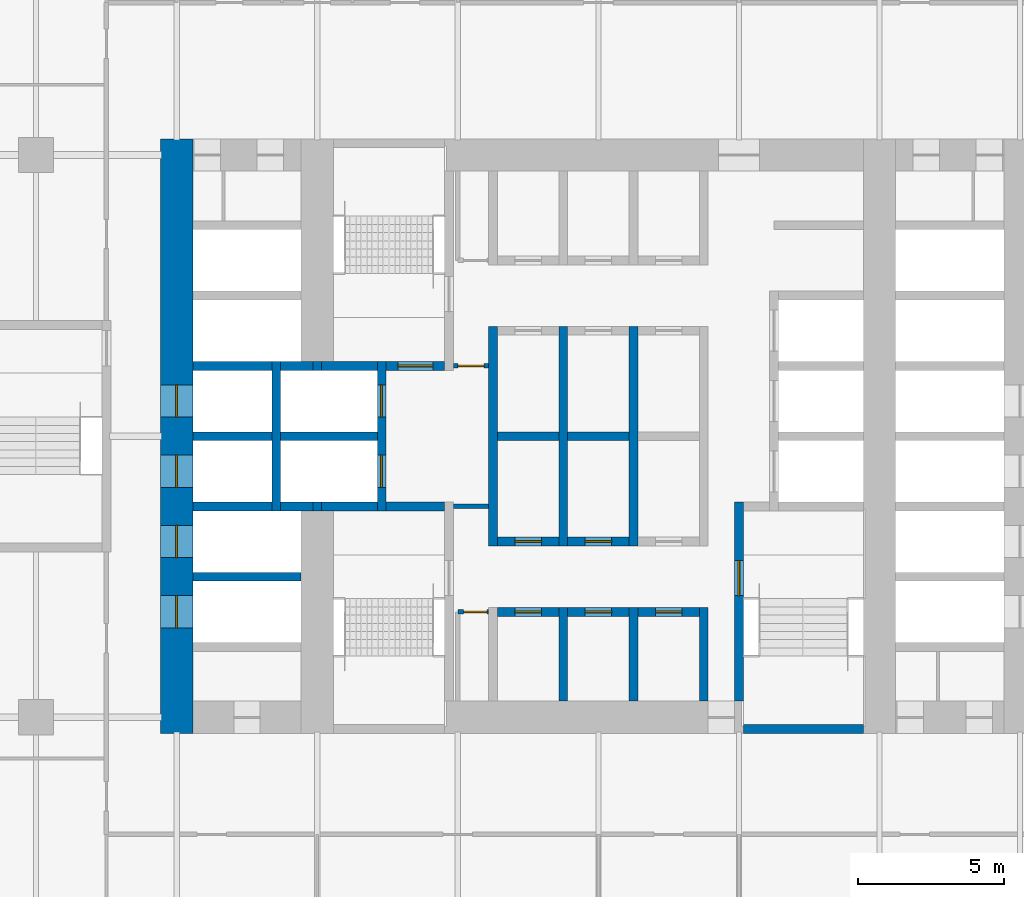
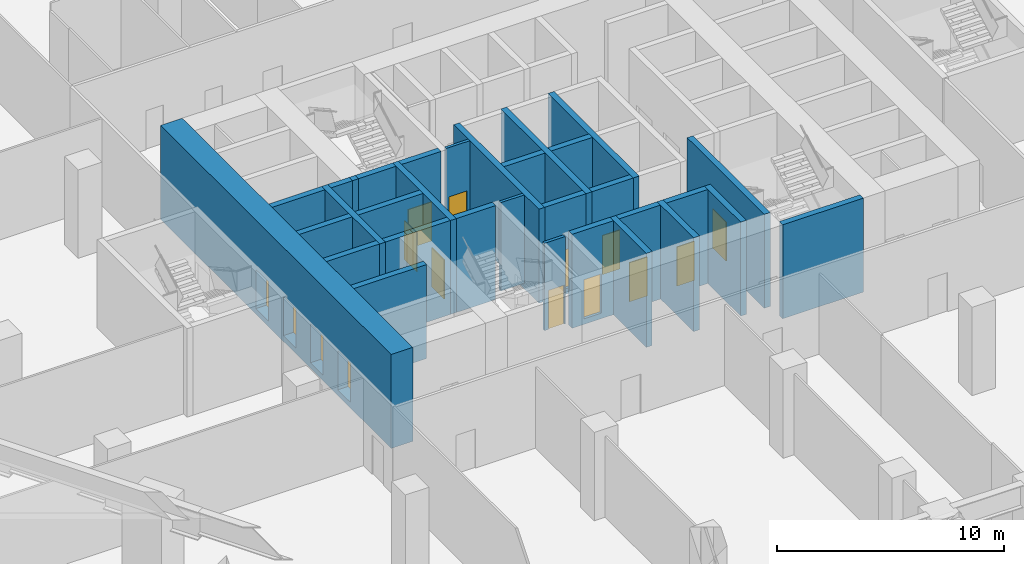
# One storey, part 20 of 34: 34 walls, 15 doors, 15 openings.
"""IFC4 building model written with IfcOpenShell, lengths in metres."""

from ifc_helpers import new_model, si_unit, direction, frame, frame_2d, origin, place, context, subcontext, project, spatial, rectangle, extrude, material, layer, layer_set, type_object, element, fill, save


model = new_model("IFC4")

# Units and contexts
model_context = context("Model", 3, precision=1e-05, world=origin(), true_north=direction((0.0, 1.0)))
body_context = subcontext(model_context, "Body", "Model", "MODEL_VIEW")
ifc_project = project(units=[si_unit("LENGTHUNIT", "METRE"), si_unit("AREAUNIT", "SQUARE_METRE"), si_unit("VOLUMEUNIT", "CUBIC_METRE"), si_unit("PLANEANGLEUNIT", "RADIAN"), si_unit("MASSUNIT", "GRAM", prefix="KILO")], contexts=[model_context])

# Site, building, storey
site_placement = place(None, origin())
site = spatial("IfcSite", under=ifc_project, at=site_placement, CompositionType="ELEMENT")
building_placement = place(site_placement, origin())
building = spatial("IfcBuilding", under=site, at=building_placement, Name="Kolab Exchange Tower", CompositionType="ELEMENT")
storey_placement = place(building_placement, frame((0.0, 0.0, 12.39990234375)))
storey = spatial("IfcBuildingStorey", under=building, at=storey_placement, Name="L02", CompositionType="ELEMENT", Elevation=12.39990234375)

# Wall, openings, doors
ifc_material_1 = material(Name="Concrete C80/95", Category="concrete")
ifc_layer_1 = layer(ifc_material_1, 1.10009765625)
ifc_layer_set_1 = layer_set([ifc_layer_1], Name="Concrete C80/95")
wall_type_1 = type_object("IfcWallType", Name="CORE WALL 1100 C80/95", PredefinedType="SHEAR", material=ifc_layer_set_1)
wall_1_placement = place(storey_placement, frame((-14.39990234375, -10.14990234375, -0.2998046875), z_axis=(0.0, 0.0, 1.0), x_axis=(0.0, 1.0, 0.0)))
wall_1 = element("IfcWall", 1, at=wall_1_placement, inside=storey, type_object=wall_type_1, Name="wall/L02/core/057", PredefinedType="SHEAR", context=body_context, shape_type="SweptSolid", body=[
    extrude(rectangle(XDim=20.2998046875, YDim=1.10009765625, at=frame_2d((10.14990234375, 0.0))), origin(), (0.0, 0.0, 1.0), 5.0498046875),
])
opening_1_placement = place(wall_1_placement, frame((3.60009765625, 0.0, 0.300048828125)))
opening_1 = element("IfcOpeningElement", 2, at=opening_1_placement, cuts=wall_1, Name="Opening LD1-025", PredefinedType="OPENING", context=body_context, shape_type="SweptSolid", body=[
    extrude(rectangle(XDim=1.10009765625, YDim=2.10009765625, at=frame_2d((0.550048828125, 1.050048828125))), frame((0.0, 0.56005859375, 0.0), z_axis=(0.0, -1.0, 0.0), x_axis=(1.0, 0.0, 0.0)), (0.0, 0.0, 1.0), 1.1201171875),
])
opening_2_placement = place(wall_1_placement, frame((6.0, 0.0, 0.300048828125)))
opening_2 = element("IfcOpeningElement", 3, at=opening_2_placement, cuts=wall_1, Name="Opening LD1-026", PredefinedType="OPENING", context=body_context, shape_type="SweptSolid", body=[
    extrude(rectangle(XDim=1.10009765625, YDim=2.10009765625, at=frame_2d((0.550048828125, 1.050048828125))), frame((0.0, 0.56005859375, 0.0), z_axis=(0.0, -1.0, 0.0), x_axis=(1.0, 0.0, 0.0)), (0.0, 0.0, 1.0), 1.1201171875),
])
opening_3_placement = place(wall_1_placement, frame((8.39990234375, 0.0, 0.300048828125)))
opening_3 = element("IfcOpeningElement", 4, at=opening_3_placement, cuts=wall_1, Name="Opening LD1-027", PredefinedType="OPENING", context=body_context, shape_type="SweptSolid", body=[
    extrude(rectangle(XDim=1.10009765625, YDim=2.10009765625, at=frame_2d((0.550048828125, 1.050048828125))), frame((0.0, 0.56005859375, 0.0), z_axis=(0.0, -1.0, 0.0), x_axis=(1.0, 0.0, 0.0)), (0.0, 0.0, 1.0), 1.1201171875),
])
opening_4_placement = place(wall_1_placement, frame((10.800048828125, 0.0, 0.300048828125)))
opening_4 = element("IfcOpeningElement", 5, at=opening_4_placement, cuts=wall_1, Name="Opening LD1-028", PredefinedType="OPENING", context=body_context, shape_type="SweptSolid", body=[
    extrude(rectangle(XDim=1.10009765625, YDim=2.10009765625, at=frame_2d((0.550048828125, 1.050048828125))), frame((0.0, 0.56005859375, 0.0), z_axis=(0.0, -1.0, 0.0), x_axis=(1.0, 0.0, 0.0)), (0.0, 0.0, 1.0), 1.1201171875),
])
ifc_material_2 = material(Name="Stainless steel 316", Category="steel")
door_type_1 = type_object("IfcDoorType", Name="LANDING DOOR 1100 PASSENGER", OperationType="DOUBLE_DOOR_SLIDING", PredefinedType="DOOR", material=ifc_material_2)
door_1_placement = place(opening_1_placement, origin())
door_1 = element("IfcDoor", 6, at=door_1_placement, inside=storey, type_object=door_type_1, Name="Landing door LR5", OperationType="DOUBLE_DOOR_SLIDING", OverallHeight=2.10009765625, OverallWidth=1.10009765625, PredefinedType="DOOR", context=body_context, shape_type="SweptSolid", body=[
    extrude(rectangle(XDim=1.10009765625, YDim=2.10009765625, at=frame_2d((0.550048828125, 1.050048828125))), frame((0.0, 0.02490234375, 0.0), z_axis=(0.0, -1.0, 0.0), x_axis=(1.0, 0.0, 0.0)), (0.0, 0.0, 1.0), 0.050048828125),
])
fill(opening_1, door_1)
door_2_placement = place(opening_2_placement, origin())
door_2 = element("IfcDoor", 7, at=door_2_placement, inside=storey, type_object=door_type_1, Name="Landing door LR6", OperationType="DOUBLE_DOOR_SLIDING", OverallHeight=2.10009765625, OverallWidth=1.10009765625, PredefinedType="DOOR", context=body_context, shape_type="SweptSolid", body=[
    extrude(rectangle(XDim=1.10009765625, YDim=2.10009765625, at=frame_2d((0.550048828125, 1.050048828125))), frame((0.0, 0.02490234375, 0.0), z_axis=(0.0, -1.0, 0.0), x_axis=(1.0, 0.0, 0.0)), (0.0, 0.0, 1.0), 0.050048828125),
])
fill(opening_2, door_2)
door_3_placement = place(opening_3_placement, origin())
door_3 = element("IfcDoor", 8, at=door_3_placement, inside=storey, type_object=door_type_1, Name="Landing door LR7", OperationType="DOUBLE_DOOR_SLIDING", OverallHeight=2.10009765625, OverallWidth=1.10009765625, PredefinedType="DOOR", context=body_context, shape_type="SweptSolid", body=[
    extrude(rectangle(XDim=1.10009765625, YDim=2.10009765625, at=frame_2d((0.550048828125, 1.050048828125))), frame((0.0, 0.02490234375, 0.0), z_axis=(0.0, -1.0, 0.0), x_axis=(1.0, 0.0, 0.0)), (0.0, 0.0, 1.0), 0.050048828125),
])
fill(opening_3, door_3)
door_4_placement = place(opening_4_placement, origin())
door_4 = element("IfcDoor", 9, at=door_4_placement, inside=storey, type_object=door_type_1, Name="Landing door LR8", OperationType="DOUBLE_DOOR_SLIDING", OverallHeight=2.10009765625, OverallWidth=1.10009765625, PredefinedType="DOOR", context=body_context, shape_type="SweptSolid", body=[
    extrude(rectangle(XDim=1.10009765625, YDim=2.10009765625, at=frame_2d((0.550048828125, 1.050048828125))), frame((0.0, 0.02490234375, 0.0), z_axis=(0.0, -1.0, 0.0), x_axis=(1.0, 0.0, 0.0)), (0.0, 0.0, 1.0), 0.050048828125),
])
fill(opening_4, door_4)

# Wall, opening, door
ifc_material_3 = material(Name="Concrete C50/60", Category="concrete")
ifc_layer_2 = layer(ifc_material_3, 0.300048828125)
ifc_layer_set_2 = layer_set([ifc_layer_2], Name="Concrete C50/60")
wall_type_2 = type_object("IfcWallType", Name="LIFT SHAFT WALL 300 C50/60", PredefinedType="STANDARD", material=ifc_layer_set_2)
wall_2_placement = place(storey_placement, frame((-3.449951171875, -6.0, -0.2998046875), z_axis=(0.0, 0.0, 1.0), x_axis=(1.0, 0.0, 0.0)))
wall_2 = element("IfcWall", 10, at=wall_2_placement, inside=storey, type_object=wall_type_2, Name="wall/L02/core/007", PredefinedType="STANDARD", context=body_context, shape_type="SweptSolid", body=[
    extrude(rectangle(XDim=2.099853515625, YDim=0.300048828125, at=frame_2d((1.0498046875, 0.0))), origin(), (0.0, 0.0, 1.0), 5.0498046875),
])
opening_5_placement = place(wall_2_placement, frame((0.60009765625, 0.0, 0.300048828125)))
opening_5 = element("IfcOpeningElement", 11, at=opening_5_placement, cuts=wall_2, Name="Opening D6-054", PredefinedType="OPENING", context=body_context, shape_type="SweptSolid", body=[
    extrude(rectangle(XDim=0.89990234375, YDim=2.10009765625, at=frame_2d((0.449951171875, 1.050048828125))), frame((0.0, 0.16015625, 0.0), z_axis=(0.0, -1.0, 0.0), x_axis=(1.0, 0.0, 0.0)), (0.0, 0.0, 1.0), 0.320068359375),
])
ifc_material_4 = material(Name="Steel S235", Category="steel")
door_type_2 = type_object("IfcDoorType", Name="CORE DOOR 900 EI 120", OperationType="SINGLE_SWING_LEFT", PredefinedType="DOOR", material=ifc_material_4)
door_5_placement = place(opening_5_placement, frame((0.89990234375, 0.0, 0.0), z_axis=(0.0, 0.0, 1.0), x_axis=(-1.0, 0.0, 0.0)))
door_5 = element("IfcDoor", 12, at=door_5_placement, inside=storey, type_object=door_type_2, Name="Service room door", OperationType="SINGLE_SWING_LEFT", OverallHeight=2.10009765625, OverallWidth=0.89990234375, PredefinedType="DOOR", context=body_context, shape_type="SweptSolid", body=[
    extrude(rectangle(XDim=0.89990234375, YDim=2.10009765625, at=frame_2d((0.449951171875, 1.050048828125))), frame((0.0, 0.02490234375, 0.0), z_axis=(0.0, -1.0, 0.0), x_axis=(1.0, 0.0, 0.0)), (0.0, 0.0, 1.0), 0.050048828125),
])
fill(opening_5, door_5)

wall_3_placement = place(storey_placement, frame((-1.050048828125, -6.0, -0.2998046875), z_axis=(0.0, 0.0, 1.0), x_axis=(1.0, 0.0, 0.0)))
wall_3 = element("IfcWall", 13, at=wall_3_placement, inside=storey, type_object=wall_type_2, Name="wall/L02/core/008", PredefinedType="STANDARD", context=body_context, shape_type="SweptSolid", body=[
    extrude(rectangle(XDim=2.10009765625, YDim=0.300048828125, at=frame_2d((1.050048828125, 0.0))), origin(), (0.0, 0.0, 1.0), 5.0498046875),
])
opening_6_placement = place(wall_3_placement, frame((0.60009765625, 0.0, 0.300048828125)))
opening_6 = element("IfcOpeningElement", 14, at=opening_6_placement, cuts=wall_3, Name="Opening D6-053", PredefinedType="OPENING", context=body_context, shape_type="SweptSolid", body=[
    extrude(rectangle(XDim=0.89990234375, YDim=2.10009765625, at=frame_2d((0.449951171875, 1.050048828125))), frame((0.0, 0.16015625, 0.0), z_axis=(0.0, -1.0, 0.0), x_axis=(1.0, 0.0, 0.0)), (0.0, 0.0, 1.0), 0.320068359375),
])
door_6_placement = place(opening_6_placement, frame((0.89990234375, 0.0, 0.0), z_axis=(0.0, 0.0, 1.0), x_axis=(-1.0, 0.0, 0.0)))
door_6 = element("IfcDoor", 15, at=door_6_placement, inside=storey, type_object=door_type_2, Name="Service room door", OperationType="SINGLE_SWING_LEFT", OverallHeight=2.10009765625, OverallWidth=0.89990234375, PredefinedType="DOOR", context=body_context, shape_type="SweptSolid", body=[
    extrude(rectangle(XDim=0.89990234375, YDim=2.10009765625, at=frame_2d((0.449951171875, 1.050048828125))), frame((0.0, 0.02490234375, 0.0), z_axis=(0.0, -1.0, 0.0), x_axis=(1.0, 0.0, 0.0)), (0.0, 0.0, 1.0), 0.050048828125),
])
fill(opening_6, door_6)

wall_4_placement = place(storey_placement, frame((1.35009765625, -6.0, -0.2998046875), z_axis=(0.0, 0.0, 1.0), x_axis=(1.0, 0.0, 0.0)))
wall_4 = element("IfcWall", 16, at=wall_4_placement, inside=storey, type_object=wall_type_2, Name="wall/L02/core/009", PredefinedType="STANDARD", context=body_context, shape_type="SweptSolid", body=[
    extrude(rectangle(XDim=2.099853515625, YDim=0.300048828125, at=frame_2d((1.0498046875, 0.0))), origin(), (0.0, 0.0, 1.0), 5.0498046875),
])
opening_7_placement = place(wall_4_placement, frame((0.60009765625, 0.0, 0.300048828125)))
opening_7 = element("IfcOpeningElement", 17, at=opening_7_placement, cuts=wall_4, Name="Opening D6-052", PredefinedType="OPENING", context=body_context, shape_type="SweptSolid", body=[
    extrude(rectangle(XDim=0.89990234375, YDim=2.10009765625, at=frame_2d((0.449951171875, 1.050048828125))), frame((0.0, 0.16015625, 0.0), z_axis=(0.0, -1.0, 0.0), x_axis=(1.0, 0.0, 0.0)), (0.0, 0.0, 1.0), 0.320068359375),
])
door_7_placement = place(opening_7_placement, frame((0.89990234375, 0.0, 0.0), z_axis=(0.0, 0.0, 1.0), x_axis=(-1.0, 0.0, 0.0)))
door_7 = element("IfcDoor", 18, at=door_7_placement, inside=storey, type_object=door_type_2, Name="Service room door", OperationType="SINGLE_SWING_RIGHT", OverallHeight=2.10009765625, OverallWidth=0.89990234375, PredefinedType="DOOR", context=body_context, shape_type="SweptSolid", body=[
    extrude(rectangle(XDim=0.89990234375, YDim=2.10009765625, at=frame_2d((0.449951171875, 1.050048828125))), frame((0.0, 0.02490234375, 0.0), z_axis=(0.0, -1.0, 0.0), x_axis=(1.0, 0.0, 0.0)), (0.0, 0.0, 1.0), 0.050048828125),
])
fill(opening_7, door_7)

# Wall
wall_5_placement = place(storey_placement, frame((-13.85009765625, -4.800048828125, -0.2998046875), z_axis=(0.0, 0.0, 1.0), x_axis=(1.0, 0.0, 0.0)))
element("IfcWall", 19, at=wall_5_placement, inside=storey, type_object=wall_type_2, Name="wall/L02/core/010", PredefinedType="STANDARD", context=body_context, shape_type="SweptSolid", body=[
    extrude(rectangle(XDim=3.7001953125, YDim=0.300048828125, at=frame_2d((1.85009765625, 0.0))), origin(), (0.0, 0.0, 1.0), 5.0498046875),
])

# Wall, opening, door
wall_6_placement = place(storey_placement, frame((-3.449951171875, -3.60009765625, -0.2998046875), z_axis=(0.0, 0.0, 1.0), x_axis=(1.0, 0.0, 0.0)))
wall_6 = element("IfcWall", 20, at=wall_6_placement, inside=storey, type_object=wall_type_2, Name="wall/L02/core/014", PredefinedType="STANDARD", context=body_context, shape_type="SweptSolid", body=[
    extrude(rectangle(XDim=2.099853515625, YDim=0.300048828125, at=frame_2d((1.0498046875, 0.0))), origin(), (0.0, 0.0, 1.0), 5.0498046875),
])
opening_8_placement = place(wall_6_placement, frame((0.60009765625, 0.0, 0.300048828125)))
opening_8 = element("IfcOpeningElement", 21, at=opening_8_placement, cuts=wall_6, Name="Opening D6-051", PredefinedType="OPENING", context=body_context, shape_type="SweptSolid", body=[
    extrude(rectangle(XDim=0.89990234375, YDim=2.10009765625, at=frame_2d((0.449951171875, 1.050048828125))), frame((0.0, 0.16015625, 0.0), z_axis=(0.0, -1.0, 0.0), x_axis=(1.0, 0.0, 0.0)), (0.0, 0.0, 1.0), 0.320068359375),
])
door_8_placement = place(opening_8_placement, origin())
door_8 = element("IfcDoor", 22, at=door_8_placement, inside=storey, type_object=door_type_2, Name="Service room door", OperationType="SINGLE_SWING_LEFT", OverallHeight=2.10009765625, OverallWidth=0.89990234375, PredefinedType="DOOR", context=body_context, shape_type="SweptSolid", body=[
    extrude(rectangle(XDim=0.89990234375, YDim=2.10009765625, at=frame_2d((0.449951171875, 1.050048828125))), frame((0.0, 0.02490234375, 0.0), z_axis=(0.0, -1.0, 0.0), x_axis=(1.0, 0.0, 0.0)), (0.0, 0.0, 1.0), 0.050048828125),
])
fill(opening_8, door_8)

wall_7_placement = place(storey_placement, frame((-1.050048828125, -3.60009765625, -0.2998046875), z_axis=(0.0, 0.0, 1.0), x_axis=(1.0, 0.0, 0.0)))
wall_7 = element("IfcWall", 23, at=wall_7_placement, inside=storey, type_object=wall_type_2, Name="wall/L02/core/015", PredefinedType="STANDARD", context=body_context, shape_type="SweptSolid", body=[
    extrude(rectangle(XDim=2.10009765625, YDim=0.300048828125, at=frame_2d((1.050048828125, 0.0))), origin(), (0.0, 0.0, 1.0), 5.0498046875),
])
opening_9_placement = place(wall_7_placement, frame((0.60009765625, 0.0, 0.300048828125)))
opening_9 = element("IfcOpeningElement", 24, at=opening_9_placement, cuts=wall_7, Name="Opening D6-050", PredefinedType="OPENING", context=body_context, shape_type="SweptSolid", body=[
    extrude(rectangle(XDim=0.89990234375, YDim=2.10009765625, at=frame_2d((0.449951171875, 1.050048828125))), frame((0.0, 0.16015625, 0.0), z_axis=(0.0, -1.0, 0.0), x_axis=(1.0, 0.0, 0.0)), (0.0, 0.0, 1.0), 0.320068359375),
])
door_9_placement = place(opening_9_placement, origin())
door_9 = element("IfcDoor", 25, at=door_9_placement, inside=storey, type_object=door_type_2, Name="Service room door", OperationType="SINGLE_SWING_LEFT", OverallHeight=2.10009765625, OverallWidth=0.89990234375, PredefinedType="DOOR", context=body_context, shape_type="SweptSolid", body=[
    extrude(rectangle(XDim=0.89990234375, YDim=2.10009765625, at=frame_2d((0.449951171875, 1.050048828125))), frame((0.0, 0.02490234375, 0.0), z_axis=(0.0, -1.0, 0.0), x_axis=(1.0, 0.0, 0.0)), (0.0, 0.0, 1.0), 0.050048828125),
])
fill(opening_9, door_9)

# Walls
wall_8_placement = place(storey_placement, frame((-13.85009765625, -2.39990234375, -0.2998046875), z_axis=(0.0, 0.0, 1.0), x_axis=(1.0, 0.0, 0.0)))
element("IfcWall", 26, at=wall_8_placement, inside=storey, type_object=wall_type_2, Name="wall/L02/core/017", PredefinedType="STANDARD", context=body_context, shape_type="SweptSolid", body=[
    extrude(rectangle(XDim=2.7001953125, YDim=0.300048828125, at=frame_2d((1.35009765625, 0.0))), origin(), (0.0, 0.0, 1.0), 5.0498046875),
])
wall_9_placement = place(storey_placement, frame((-10.85009765625, -2.39990234375, -0.2998046875), z_axis=(0.0, 0.0, 1.0), x_axis=(1.0, 0.0, 0.0)))
element("IfcWall", 27, at=wall_9_placement, inside=storey, type_object=wall_type_2, Name="wall/L02/core/018", PredefinedType="STANDARD", context=body_context, shape_type="SweptSolid", body=[
    extrude(rectangle(XDim=1.10009765625, YDim=0.300048828125, at=frame_2d((0.550048828125, 0.0))), origin(), (0.0, 0.0, 1.0), 5.0498046875),
])
wall_10_placement = place(storey_placement, frame((-13.85009765625, 0.0, -0.2998046875), z_axis=(0.0, 0.0, 1.0), x_axis=(1.0, 0.0, 0.0)))
element("IfcWall", 28, at=wall_10_placement, inside=storey, type_object=wall_type_2, Name="wall/L02/core/024", PredefinedType="STANDARD", context=body_context, shape_type="SweptSolid", body=[
    extrude(rectangle(XDim=2.7001953125, YDim=0.300048828125, at=frame_2d((1.35009765625, 0.0))), origin(), (0.0, 0.0, 1.0), 5.0498046875),
])
wall_11_placement = place(storey_placement, frame((-10.85009765625, 0.0, -0.2998046875), z_axis=(0.0, 0.0, 1.0), x_axis=(1.0, 0.0, 0.0)))
element("IfcWall", 29, at=wall_11_placement, inside=storey, type_object=wall_type_2, Name="wall/L02/core/025", PredefinedType="STANDARD", context=body_context, shape_type="SweptSolid", body=[
    extrude(rectangle(XDim=3.300048828125, YDim=0.300048828125, at=frame_2d((1.64990234375, 0.0))), origin(), (0.0, 0.0, 1.0), 5.0498046875),
])
wall_12_placement = place(storey_placement, frame((-3.449951171875, 0.0, -0.2998046875), z_axis=(0.0, 0.0, 1.0), x_axis=(1.0, 0.0, 0.0)))
element("IfcWall", 30, at=wall_12_placement, inside=storey, type_object=wall_type_2, Name="wall/L02/core/026", PredefinedType="STANDARD", context=body_context, shape_type="SweptSolid", body=[
    extrude(rectangle(XDim=2.099853515625, YDim=0.300048828125, at=frame_2d((1.0498046875, 0.0))), origin(), (0.0, 0.0, 1.0), 5.0498046875),
])
wall_13_placement = place(storey_placement, frame((-1.050048828125, 0.0, -0.2998046875), z_axis=(0.0, 0.0, 1.0), x_axis=(1.0, 0.0, 0.0)))
element("IfcWall", 31, at=wall_13_placement, inside=storey, type_object=wall_type_2, Name="wall/L02/core/027", PredefinedType="STANDARD", context=body_context, shape_type="SweptSolid", body=[
    extrude(rectangle(XDim=2.10009765625, YDim=0.300048828125, at=frame_2d((1.050048828125, 0.0))), origin(), (0.0, 0.0, 1.0), 5.0498046875),
])
wall_14_placement = place(storey_placement, frame((-13.85009765625, 2.39990234375, -0.2998046875), z_axis=(0.0, 0.0, 1.0), x_axis=(1.0, 0.0, 0.0)))
element("IfcWall", 32, at=wall_14_placement, inside=storey, type_object=wall_type_2, Name="wall/L02/core/031", PredefinedType="STANDARD", context=body_context, shape_type="SweptSolid", body=[
    extrude(rectangle(XDim=2.7001953125, YDim=0.300048828125, at=frame_2d((1.35009765625, 0.0))), origin(), (0.0, 0.0, 1.0), 5.0498046875),
])
wall_15_placement = place(storey_placement, frame((-10.85009765625, 2.39990234375, -0.2998046875), z_axis=(0.0, 0.0, 1.0), x_axis=(1.0, 0.0, 0.0)))
element("IfcWall", 33, at=wall_15_placement, inside=storey, type_object=wall_type_2, Name="wall/L02/core/032", PredefinedType="STANDARD", context=body_context, shape_type="SweptSolid", body=[
    extrude(rectangle(XDim=1.10009765625, YDim=0.300048828125, at=frame_2d((0.550048828125, 0.0))), origin(), (0.0, 0.0, 1.0), 5.0498046875),
])
wall_16_placement = place(storey_placement, frame((-11.0, -2.550048828125, -0.2998046875), z_axis=(0.0, 0.0, 1.0), x_axis=(0.0, 1.0, 0.0)))
element("IfcWall", 34, at=wall_16_placement, inside=storey, type_object=wall_type_2, Name="wall/L02/core/058", PredefinedType="STANDARD", context=body_context, shape_type="SweptSolid", body=[
    extrude(rectangle(XDim=5.10009765625, YDim=0.300048828125, at=frame_2d((2.550048828125, 0.0))), origin(), (0.0, 0.0, 1.0), 5.0498046875),
])

# Wall, openings, doors
wall_17_placement = place(storey_placement, frame((-7.39990234375, -2.550048828125, -0.2998046875), z_axis=(0.0, 0.0, 1.0), x_axis=(0.0, 1.0, 0.0)))
wall_17 = element("IfcWall", 35, at=wall_17_placement, inside=storey, type_object=wall_type_2, Name="wall/L02/core/063", PredefinedType="STANDARD", context=body_context, shape_type="SweptSolid", body=[
    extrude(rectangle(XDim=5.10009765625, YDim=0.300048828125, at=frame_2d((2.550048828125, 0.0))), origin(), (0.0, 0.0, 1.0), 5.0498046875),
])
opening_10_placement = place(wall_17_placement, frame((0.800048828125, 0.0, 0.300048828125)))
opening_10 = element("IfcOpeningElement", 36, at=opening_10_placement, cuts=wall_17, Name="Opening LD2-005", PredefinedType="OPENING", context=body_context, shape_type="SweptSolid", body=[
    extrude(rectangle(XDim=1.10009765625, YDim=2.10009765625, at=frame_2d((0.550048828125, 1.050048828125))), frame((0.0, 0.16015625, 0.0), z_axis=(0.0, -1.0, 0.0), x_axis=(1.0, 0.0, 0.0)), (0.0, 0.0, 1.0), 0.320068359375),
])
opening_11_placement = place(wall_17_placement, frame((3.199951171875, 0.0, 0.300048828125)))
opening_11 = element("IfcOpeningElement", 37, at=opening_11_placement, cuts=wall_17, Name="Opening LD2-006", PredefinedType="OPENING", context=body_context, shape_type="SweptSolid", body=[
    extrude(rectangle(XDim=1.10009765625, YDim=2.10009765625, at=frame_2d((0.550048828125, 1.050048828125))), frame((0.0, 0.16015625, 0.0), z_axis=(0.0, -1.0, 0.0), x_axis=(1.0, 0.0, 0.0)), (0.0, 0.0, 1.0), 0.320068359375),
])
door_type_3 = type_object("IfcDoorType", Name="LANDING DOOR 1100 FIREFIGHTING", OperationType="DOUBLE_DOOR_SLIDING", PredefinedType="DOOR", material=ifc_material_2)
door_10_placement = place(opening_10_placement, origin())
door_10 = element("IfcDoor", 38, at=door_10_placement, inside=storey, type_object=door_type_3, Name="Landing door FF1", OperationType="DOUBLE_DOOR_SLIDING", OverallHeight=2.10009765625, OverallWidth=1.10009765625, PredefinedType="DOOR", context=body_context, shape_type="SweptSolid", body=[
    extrude(rectangle(XDim=1.10009765625, YDim=2.10009765625, at=frame_2d((0.550048828125, 1.050048828125))), frame((0.0, 0.02490234375, 0.0), z_axis=(0.0, -1.0, 0.0), x_axis=(1.0, 0.0, 0.0)), (0.0, 0.0, 1.0), 0.050048828125),
])
fill(opening_10, door_10)
door_11_placement = place(opening_11_placement, origin())
door_11 = element("IfcDoor", 39, at=door_11_placement, inside=storey, type_object=door_type_3, Name="Landing door FF2", OperationType="DOUBLE_DOOR_SLIDING", OverallHeight=2.10009765625, OverallWidth=1.10009765625, PredefinedType="DOOR", context=body_context, shape_type="SweptSolid", body=[
    extrude(rectangle(XDim=1.10009765625, YDim=2.10009765625, at=frame_2d((0.550048828125, 1.050048828125))), frame((0.0, 0.02490234375, 0.0), z_axis=(0.0, -1.0, 0.0), x_axis=(1.0, 0.0, 0.0)), (0.0, 0.0, 1.0), 0.050048828125),
])
fill(opening_11, door_11)

# Walls
wall_18_placement = place(storey_placement, frame((-3.60009765625, -3.75, -0.2998046875), z_axis=(0.0, 0.0, 1.0), x_axis=(0.0, 1.0, 0.0)))
element("IfcWall", 40, at=wall_18_placement, inside=storey, type_object=wall_type_2, Name="wall/L02/core/067", PredefinedType="STANDARD", context=body_context, shape_type="SweptSolid", body=[
    extrude(rectangle(XDim=7.5, YDim=0.300048828125, at=frame_2d((3.75, 0.0))), origin(), (0.0, 0.0, 1.0), 5.0498046875),
])
wall_19_placement = place(storey_placement, frame((-1.199951171875, -9.050048828125, -0.2998046875), z_axis=(0.0, 0.0, 1.0), x_axis=(0.0, 1.0, 0.0)))
element("IfcWall", 41, at=wall_19_placement, inside=storey, type_object=wall_type_2, Name="wall/L02/core/069", PredefinedType="STANDARD", context=body_context, shape_type="SweptSolid", body=[
    extrude(rectangle(XDim=3.199951171875, YDim=0.300048828125, at=frame_2d((1.60009765625, 0.0))), origin(), (0.0, 0.0, 1.0), 5.0498046875),
])
wall_20_placement = place(storey_placement, frame((-1.199951171875, -3.75, -0.2998046875), z_axis=(0.0, 0.0, 1.0), x_axis=(0.0, 1.0, 0.0)))
element("IfcWall", 42, at=wall_20_placement, inside=storey, type_object=wall_type_2, Name="wall/L02/core/070", PredefinedType="STANDARD", context=body_context, shape_type="SweptSolid", body=[
    extrude(rectangle(XDim=7.5, YDim=0.300048828125, at=frame_2d((3.75, 0.0))), origin(), (0.0, 0.0, 1.0), 5.0498046875),
])
wall_21_placement = place(storey_placement, frame((1.199951171875, -9.050048828125, -0.2998046875), z_axis=(0.0, 0.0, 1.0), x_axis=(0.0, 1.0, 0.0)))
element("IfcWall", 43, at=wall_21_placement, inside=storey, type_object=wall_type_2, Name="wall/L02/core/072", PredefinedType="STANDARD", context=body_context, shape_type="SweptSolid", body=[
    extrude(rectangle(XDim=3.199951171875, YDim=0.300048828125, at=frame_2d((1.60009765625, 0.0))), origin(), (0.0, 0.0, 1.0), 5.0498046875),
])
wall_22_placement = place(storey_placement, frame((1.199951171875, -3.75, -0.2998046875), z_axis=(0.0, 0.0, 1.0), x_axis=(0.0, 1.0, 0.0)))
element("IfcWall", 44, at=wall_22_placement, inside=storey, type_object=wall_type_2, Name="wall/L02/core/073", PredefinedType="STANDARD", context=body_context, shape_type="SweptSolid", body=[
    extrude(rectangle(XDim=7.5, YDim=0.300048828125, at=frame_2d((3.75, 0.0))), origin(), (0.0, 0.0, 1.0), 5.0498046875),
])
wall_23_placement = place(storey_placement, frame((3.60009765625, -9.050048828125, -0.2998046875), z_axis=(0.0, 0.0, 1.0), x_axis=(0.0, 1.0, 0.0)))
element("IfcWall", 45, at=wall_23_placement, inside=storey, type_object=wall_type_2, Name="wall/L02/core/075", PredefinedType="STANDARD", context=body_context, shape_type="SweptSolid", body=[
    extrude(rectangle(XDim=3.199951171875, YDim=0.300048828125, at=frame_2d((1.60009765625, 0.0))), origin(), (0.0, 0.0, 1.0), 5.0498046875),
])

# Wall, opening, door
ifc_material_5 = material(Name="Gypsum board", Category="gypsum")
ifc_layer_3 = layer(ifc_material_5, 0.14990234375)
ifc_layer_set_3 = layer_set([ifc_layer_3], Name="Gypsum board")
wall_type_3 = type_object("IfcWallType", Name="PARTITION 150 FIRE-RATED", PredefinedType="PARTITIONING", material=ifc_layer_set_3)
wall_24_placement = place(storey_placement, frame((-4.800048828125, -6.0, 0.0), z_axis=(0.0, 0.0, 1.0), x_axis=(1.0, 0.0, 0.0)))
wall_24 = element("IfcWall", 46, at=wall_24_placement, inside=storey, type_object=wall_type_3, Name="Partition 023", PredefinedType="PARTITIONING", context=body_context, shape_type="SweptSolid", body=[
    extrude(rectangle(XDim=1.050048828125, YDim=0.14990234375, at=frame_2d((0.52490234375, 0.0))), origin(), (0.0, 0.0, 1.0), 4.7001953125),
])
opening_12_placement = place(wall_24_placement, frame((0.199951171875, 0.0, 0.0)))
opening_12 = element("IfcOpeningElement", 47, at=opening_12_placement, cuts=wall_24, Name="Opening D7-006", PredefinedType="OPENING", context=body_context, shape_type="SweptSolid", body=[
    extrude(rectangle(XDim=0.800048828125, YDim=2.10009765625, at=frame_2d((0.39990234375, 1.050048828125))), frame((0.0, 0.0849609375, 0.0), z_axis=(0.0, -1.0, 0.0), x_axis=(1.0, 0.0, 0.0)), (0.0, 0.0, 1.0), 0.169921875),
])
door_type_4 = type_object("IfcDoorType", Name="FLUSH DOOR 800 FD60", OperationType="SINGLE_SWING_LEFT", PredefinedType="DOOR", material=ifc_material_4)
door_12_placement = place(opening_12_placement, frame((0.800048828125, 0.0, 0.0), z_axis=(0.0, 0.0, 1.0), x_axis=(-1.0, 0.0, 0.0)))
door_12 = element("IfcDoor", 48, at=door_12_placement, inside=storey, type_object=door_type_4, Name="Door L02-041", OperationType="SINGLE_SWING_RIGHT", OverallHeight=2.10009765625, OverallWidth=0.800048828125, PredefinedType="DOOR", context=body_context, shape_type="SweptSolid", body=[
    extrude(rectangle(XDim=0.800048828125, YDim=2.10009765625, at=frame_2d((0.39990234375, 1.050048828125))), frame((0.0, 0.02490234375, 0.0), z_axis=(0.0, -1.0, 0.0), x_axis=(1.0, 0.0, 0.0)), (0.0, 0.0, 1.0), 0.050048828125),
])
fill(opening_12, door_12)

wall_25_placement = place(storey_placement, frame((-4.949951171875, 2.39990234375, 0.0), z_axis=(0.0, 0.0, 1.0), x_axis=(1.0, 0.0, 0.0)))
wall_25 = element("IfcWall", 49, at=wall_25_placement, inside=storey, type_object=wall_type_3, Name="Fire partition", PredefinedType="PARTITIONING", context=body_context, shape_type="SweptSolid", body=[
    extrude(rectangle(XDim=1.199951171875, YDim=0.14990234375, at=frame_2d((0.60009765625, 0.0))), origin(), (0.0, 0.0, 1.0), 4.75),
])
opening_13_placement = place(wall_25_placement, frame((0.14990234375, 0.0, 0.0)))
opening_13 = element("IfcOpeningElement", 50, at=opening_13_placement, cuts=wall_25, Name="Opening D6-056", PredefinedType="OPENING", context=body_context, shape_type="SweptSolid", body=[
    extrude(rectangle(XDim=0.89990234375, YDim=2.10009765625, at=frame_2d((0.449951171875, 1.050048828125))), frame((0.0, 0.0849609375, 0.0), z_axis=(0.0, -1.0, 0.0), x_axis=(1.0, 0.0, 0.0)), (0.0, 0.0, 1.0), 0.169921875),
])
door_13_placement = place(opening_13_placement, frame((0.89990234375, 0.0, 0.0), z_axis=(0.0, 0.0, 1.0), x_axis=(-1.0, 0.0, 0.0)))
door_13 = element("IfcDoor", 51, at=door_13_placement, inside=storey, type_object=door_type_2, Name="Firefighting lobby door", OperationType="SINGLE_SWING_RIGHT", OverallHeight=2.10009765625, OverallWidth=0.89990234375, PredefinedType="DOOR", context=body_context, shape_type="SweptSolid", body=[
    extrude(rectangle(XDim=0.89990234375, YDim=2.10009765625, at=frame_2d((0.449951171875, 1.050048828125))), frame((0.0, 0.02490234375, 0.0), z_axis=(0.0, -1.0, 0.0), x_axis=(1.0, 0.0, 0.0)), (0.0, 0.0, 1.0), 0.050048828125),
])
fill(opening_13, door_13)

# Walls
wall_26_placement = place(storey_placement, frame((-4.949951171875, -2.39990234375, 0.0), z_axis=(0.0, 0.0, 1.0), x_axis=(1.0, 0.0, 0.0)))
element("IfcWall", 52, at=wall_26_placement, inside=storey, type_object=wall_type_3, Name="Fire partition", PredefinedType="PARTITIONING", context=body_context, shape_type="SweptSolid", body=[
    extrude(rectangle(XDim=1.199951171875, YDim=0.14990234375, at=frame_2d((0.60009765625, 0.0))), origin(), (0.0, 0.0, 1.0), 4.75),
])
ifc_layer_4 = layer(ifc_material_3, 0.300048828125)
ifc_layer_set_4 = layer_set([ifc_layer_4], Name="Concrete C50/60")
wall_type_4 = type_object("IfcWallType", Name="STAIR ENCLOSURE WALL 300 C50/60", PredefinedType="STANDARD", material=ifc_layer_set_4)
wall_27_placement = place(storey_placement, frame((4.949951171875, -10.0, -0.2998046875), z_axis=(0.0, 0.0, 1.0), x_axis=(1.0, 0.0, 0.0)))
element("IfcWall", 53, at=wall_27_placement, inside=storey, type_object=wall_type_4, Name="wall/L02/core/001", PredefinedType="STANDARD", context=body_context, shape_type="SweptSolid", body=[
    extrude(rectangle(XDim=4.10009765625, YDim=0.300048828125, at=frame_2d((2.050048828125, 0.0))), origin(), (0.0, 0.0, 1.0), 5.0498046875),
])
wall_28_placement = place(storey_placement, frame((-9.449951171875, -2.39990234375, -0.2998046875), z_axis=(0.0, 0.0, 1.0), x_axis=(1.0, 0.0, 0.0)))
element("IfcWall", 54, at=wall_28_placement, inside=storey, type_object=wall_type_4, Name="wall/L02/core/019", PredefinedType="STANDARD", context=body_context, shape_type="SweptSolid", body=[
    extrude(rectangle(XDim=1.89990234375, YDim=0.300048828125, at=frame_2d((0.949951171875, 0.0))), origin(), (0.0, 0.0, 1.0), 5.0498046875),
])
wall_29_placement = place(storey_placement, frame((-7.25, -2.39990234375, -0.2998046875), z_axis=(0.0, 0.0, 1.0), x_axis=(1.0, 0.0, 0.0)))
element("IfcWall", 55, at=wall_29_placement, inside=storey, type_object=wall_type_4, Name="wall/L02/core/020", PredefinedType="STANDARD", context=body_context, shape_type="SweptSolid", body=[
    extrude(rectangle(XDim=2.0, YDim=0.300048828125, at=frame_2d((1.0, 0.0))), origin(), (0.0, 0.0, 1.0), 5.0498046875),
])
wall_30_placement = place(storey_placement, frame((-9.449951171875, 2.39990234375, -0.2998046875), z_axis=(0.0, 0.0, 1.0), x_axis=(1.0, 0.0, 0.0)))
element("IfcWall", 56, at=wall_30_placement, inside=storey, type_object=wall_type_4, Name="wall/L02/core/033", PredefinedType="STANDARD", context=body_context, shape_type="SweptSolid", body=[
    extrude(rectangle(XDim=1.89990234375, YDim=0.300048828125, at=frame_2d((0.949951171875, 0.0))), origin(), (0.0, 0.0, 1.0), 5.0498046875),
])

# Wall, opening, door
wall_31_placement = place(storey_placement, frame((-7.25, 2.39990234375, -0.2998046875), z_axis=(0.0, 0.0, 1.0), x_axis=(1.0, 0.0, 0.0)))
wall_31 = element("IfcWall", 57, at=wall_31_placement, inside=storey, type_object=wall_type_4, Name="wall/L02/core/034", PredefinedType="STANDARD", context=body_context, shape_type="SweptSolid", body=[
    extrude(rectangle(XDim=2.0, YDim=0.300048828125, at=frame_2d((1.0, 0.0))), origin(), (0.0, 0.0, 1.0), 5.0498046875),
])
opening_14_placement = place(wall_31_placement, frame((0.39990234375, 0.0, 0.300048828125)))
opening_14 = element("IfcOpeningElement", 58, at=opening_14_placement, cuts=wall_31, Name="Opening D4-013", PredefinedType="OPENING", context=body_context, shape_type="SweptSolid", body=[
    extrude(rectangle(XDim=1.199951171875, YDim=2.10009765625, at=frame_2d((0.60009765625, 1.050048828125))), frame((0.0, 0.16015625, 0.0), z_axis=(0.0, -1.0, 0.0), x_axis=(1.0, 0.0, 0.0)), (0.0, 0.0, 1.0), 0.320068359375),
])
door_type_5 = type_object("IfcDoorType", Name="STAIR DOOR 1200 EI 120", OperationType="SINGLE_SWING_LEFT", PredefinedType="DOOR", material=ifc_material_4)
door_14_placement = place(opening_14_placement, origin())
door_14 = element("IfcDoor", 59, at=door_14_placement, inside=storey, type_object=door_type_5, Name="Stair 1 door", OperationType="SINGLE_SWING_RIGHT", OverallHeight=2.10009765625, OverallWidth=1.199951171875, PredefinedType="DOOR", context=body_context, shape_type="SweptSolid", body=[
    extrude(rectangle(XDim=1.199951171875, YDim=2.10009765625, at=frame_2d((0.60009765625, 1.050048828125))), frame((0.0, 0.02490234375, 0.0), z_axis=(0.0, -1.0, 0.0), x_axis=(1.0, 0.0, 0.0)), (0.0, 0.0, 1.0), 0.050048828125),
])
fill(opening_14, door_14)

# Walls
for number, where, z_axis, x_axis, name in (
    (60, (-9.60009765625, -2.550048828125, -0.2998046875), (0.0, 0.0, 1.0), (0.0, 1.0, 0.0), "wall/L02/core/060"),
    (61, (-9.60009765625, 2.25, -0.2998046875), (0.0, 0.0, 1.0), (0.0, 1.0, 0.0), "wall/L02/core/061"),
):
    element("IfcWall", number, at=place(storey_placement, frame(where, z_axis=z_axis, x_axis=x_axis)), inside=storey, type_object=wall_type_4, Name=name, PredefinedType="STANDARD", context=body_context, shape_type="SweptSolid", body=[
        extrude(rectangle(XDim=0.300048828125, YDim=0.300048828125, at=frame_2d((0.14990234375, 0.0))), origin(), (0.0, 0.0, 1.0), 5.0498046875),
    ])

# Wall, opening, door
wall_32_placement = place(storey_placement, frame((4.800048828125, -9.050048828125, -0.2998046875), z_axis=(0.0, 0.0, 1.0), x_axis=(0.0, 1.0, 0.0)))
wall_32 = element("IfcWall", 62, at=wall_32_placement, inside=storey, type_object=wall_type_4, Name="wall/L02/core/078", PredefinedType="STANDARD", context=body_context, shape_type="SweptSolid", body=[
    extrude(rectangle(XDim=6.800048828125, YDim=0.300048828125, at=frame_2d((3.39990234375, 0.0))), origin(), (0.0, 0.0, 1.0), 5.0498046875),
])
opening_15_placement = place(wall_32_placement, frame((3.60009765625, 0.0, 0.300048828125)))
opening_15 = element("IfcOpeningElement", 63, at=opening_15_placement, cuts=wall_32, Name="Opening D4-015", PredefinedType="OPENING", context=body_context, shape_type="SweptSolid", body=[
    extrude(rectangle(XDim=1.199951171875, YDim=2.10009765625, at=frame_2d((0.60009765625, 1.050048828125))), frame((0.0, 0.16015625, 0.0), z_axis=(0.0, -1.0, 0.0), x_axis=(1.0, 0.0, 0.0)), (0.0, 0.0, 1.0), 0.320068359375),
])
door_15_placement = place(opening_15_placement, frame((1.199951171875, 0.0, 0.0), z_axis=(0.0, 0.0, 1.0), x_axis=(-1.0, 0.0, 0.0)))
door_15 = element("IfcDoor", 64, at=door_15_placement, inside=storey, type_object=door_type_5, Name="Stair 2 door", OperationType="SINGLE_SWING_RIGHT", OverallHeight=2.10009765625, OverallWidth=1.199951171875, PredefinedType="DOOR", context=body_context, shape_type="SweptSolid", body=[
    extrude(rectangle(XDim=1.199951171875, YDim=2.10009765625, at=frame_2d((0.60009765625, 1.050048828125))), frame((0.0, 0.02490234375, 0.0), z_axis=(0.0, -1.0, 0.0), x_axis=(1.0, 0.0, 0.0)), (0.0, 0.0, 1.0), 0.050048828125),
])
fill(opening_15, door_15)

save(model, "model.ifc")
